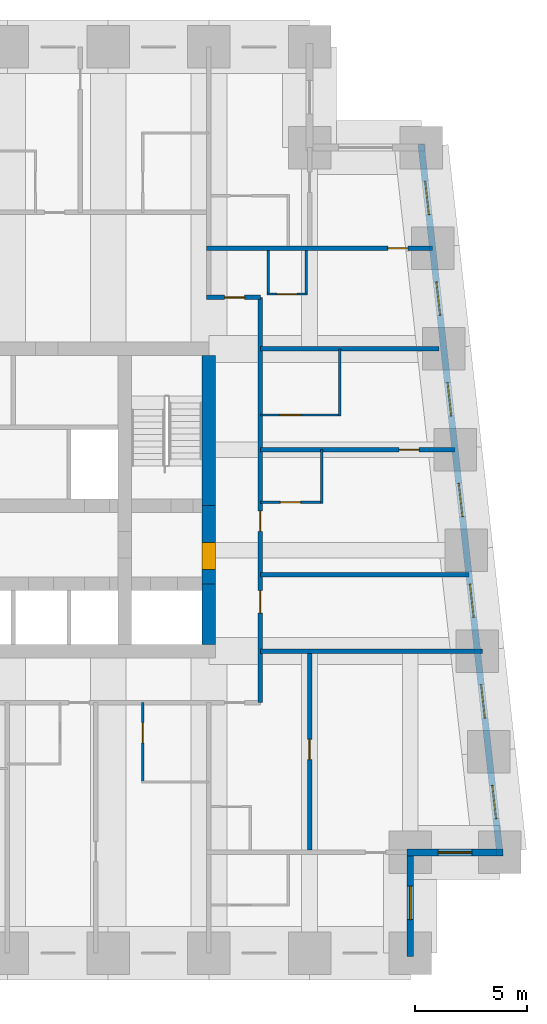
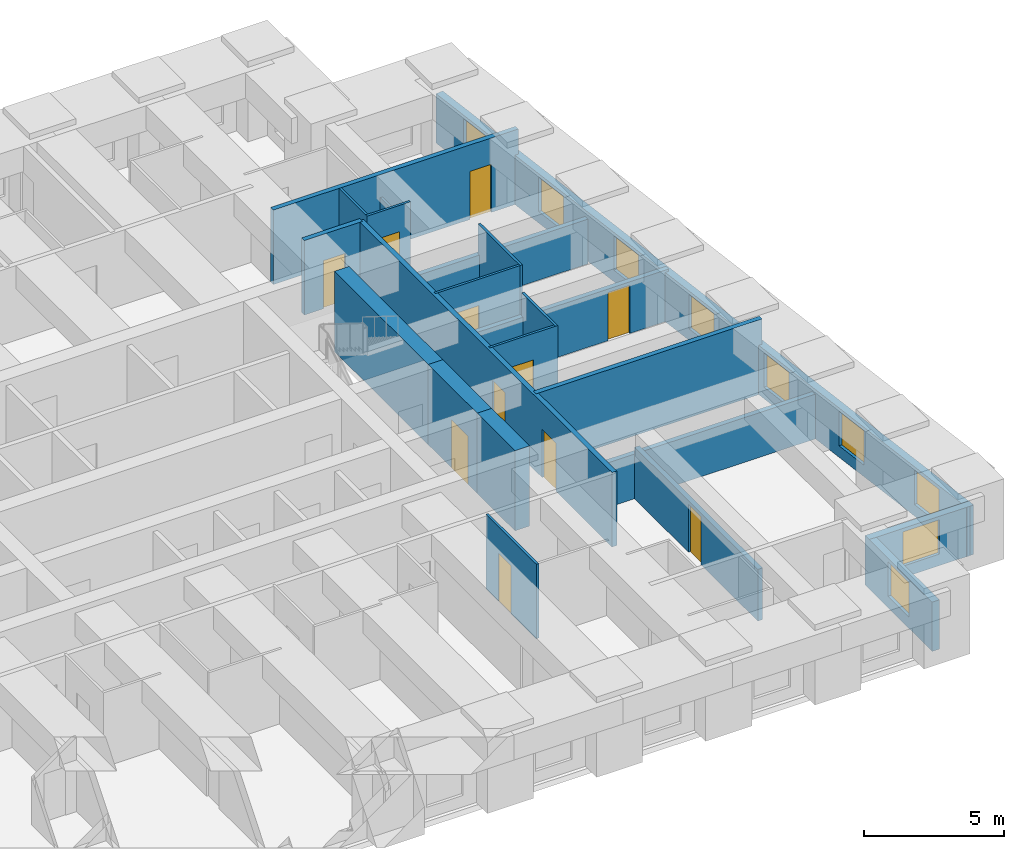
# One storey, part 5 of 8: 22 walls, 11 doors, 9 windows, 20 openings.
"""IFC4 building model written with IfcOpenShell, lengths in metres."""

import ifcopenshell
import ifcopenshell.guid

model = None  # the IFC model being written
_history = None  # IfcOwnerHistory: only IFC2X3 demands one
_inside = {}  # id of a spatial element -> (the spatial element, [elements in it])
_under = {}  # id of a project, library or spatial element -> (it, [spatial elements below it])
_declared = {}  # id of a project -> (the project, [libraries it declares])
_typed = {}  # id of a type object -> (the type object, [elements of that type])
_made_of = {}  # id of a material, layer set ... -> (it, [elements and type objects made of it])


def new_model(schema):
    """Start an empty IFC model of exactly this schema.

    Asked for "IFC4X3", IfcOpenShell would pick the latest addendum, in which some entities
    have other attributes; the version numbers below select the first issue.
    IFC2X3 requires an IfcOwnerHistory on every rooted entity: one is made here for all.
    """
    global model, _history
    if schema == "IFC4X3":
        model = ifcopenshell.file(schema_version=(4, 3, 0, 0))
    else:
        model = ifcopenshell.file(schema=schema)
    _inside.clear()
    _under.clear()
    _declared.clear()
    _typed.clear()
    _made_of.clear()
    _history = None
    if model.schema == "IFC2X3":
        org = make("IfcOrganization", Name="unknown")
        user = make(
            "IfcPersonAndOrganization",
            ThePerson=make("IfcPerson", FamilyName="unknown"),
            TheOrganization=org,
        )
        app = make(
            "IfcApplication",
            ApplicationDeveloper=org,
            Version="unknown",
            ApplicationFullName="unknown",
            ApplicationIdentifier="unknown",
        )
        _history = make(
            "IfcOwnerHistory",
            OwningUser=user,
            OwningApplication=app,
            ChangeAction="ADDED",
            CreationDate=0,
        )
    return model


def make(cls, **values):
    """One entity of the class cls with the attributes given. An attribute that is None is left unset."""
    return model.create_entity(
        cls, **{name: value for name, value in values.items() if value is not None}
    )


def rooted(cls, **values):
    """An entity with a GlobalId (a new one), such as an element, a storey or a relation."""
    return make(cls, GlobalId=ifcopenshell.guid.new(), OwnerHistory=_history, **values)


def si_unit(unit_type, name, prefix=None):
    """IfcSIUnit, for example si_unit("LENGTHUNIT", "METRE", prefix="MILLI")."""
    return make("IfcSIUnit", UnitType=unit_type, Prefix=prefix, Name=name)


def assignment(units):
    """IfcUnitAssignment: the units of a project."""
    return None if units is None else make("IfcUnitAssignment", Units=units)


def point(xyz):
    """IfcCartesianPoint."""
    return None if xyz is None else make("IfcCartesianPoint", Coordinates=xyz)


def direction(xyz):
    """IfcDirection."""
    return None if xyz is None else make("IfcDirection", DirectionRatios=xyz)


def frame(location, z_axis=None, x_axis=None):
    """IfcAxis2Placement3D, a coordinate frame: its origin and axes. An axis left out is left unset."""
    return make(
        "IfcAxis2Placement3D",
        Location=point(location),
        Axis=direction(z_axis),
        RefDirection=direction(x_axis),
    )


def frame_2d(location, x_axis=None):
    """IfcAxis2Placement2D, a coordinate frame in the plane: its origin and x axis."""
    return make(
        "IfcAxis2Placement2D", Location=point(location), RefDirection=direction(x_axis)
    )


def origin():
    """The frame at (0, 0, 0) with its axes left unset."""
    return frame((0.0, 0.0, 0.0))


def place(relative_to, where):
    """IfcLocalPlacement: puts the frame where relative to a parent placement (None: the world)."""
    return make(
        "IfcLocalPlacement", PlacementRelTo=relative_to, RelativePlacement=where
    )


def context(
    kind, dimensions, precision=None, world=None, true_north=None, identifier=None
):
    """IfcGeometricRepresentationContext, for example the 3D "Model" context."""
    return make(
        "IfcGeometricRepresentationContext",
        ContextIdentifier=identifier,
        ContextType=kind,
        CoordinateSpaceDimension=dimensions,
        Precision=precision,
        WorldCoordinateSystem=world,
        TrueNorth=true_north,
    )


def subcontext(parent, identifier, kind, view, scale=None):
    """IfcGeometricRepresentationSubContext, for example "Body" below "Model"."""
    return make(
        "IfcGeometricRepresentationSubContext",
        ContextIdentifier=identifier,
        ContextType=kind,
        ParentContext=parent,
        TargetScale=scale,
        TargetView=view,
    )


def project(units=None, contexts=None):
    """IfcProject with its units and contexts."""
    return rooted(
        "IfcProject",
        Name="project",
        RepresentationContexts=contexts,
        UnitsInContext=assignment(units),
    )


def spatial(cls, under=None, at=None, **own):
    """A site, building, storey or space (cls), placed at a placement, below another one or the project."""
    s = rooted(cls, ObjectPlacement=at, **own)
    if under is not None:
        _under.setdefault(under.id(), (under, []))[1].append(s)
    return s


def profile(cls, at=None, kind="AREA", **sizes):
    """A parametric profile (cls). Its sizes go by their IFC names, for example OverallWidth=200.0."""
    return make(cls, ProfileType=kind, Position=at, **sizes)


def rectangle(**sizes):
    """IfcRectangleProfileDef."""
    return profile("IfcRectangleProfileDef", **sizes)


def extrude(swept, where, along, depth):
    """IfcExtrudedAreaSolid: the profile swept, set in the frame where, extruded along a direction by depth."""
    return make(
        "IfcExtrudedAreaSolid",
        SweptArea=swept,
        Position=where,
        ExtrudedDirection=direction(along),
        Depth=depth,
    )


def shape(context_of_items, identifier, shape_type, items):
    """IfcShapeRepresentation: the items that make up one representation, for example the "Body"."""
    return make(
        "IfcShapeRepresentation",
        ContextOfItems=context_of_items,
        RepresentationIdentifier=identifier,
        RepresentationType=shape_type,
        Items=items,
    )


def material(Name=None, Category=None):
    """IfcMaterial."""
    return make("IfcMaterial", Name=Name, Category=Category)


def layer(
    of_material, thickness, ventilated=None, Name=None, Category=None, Priority=None
):
    """IfcMaterialLayer: one layer of a wall or slab, of a material (None: an air gap)."""
    return make(
        "IfcMaterialLayer",
        Material=of_material,
        LayerThickness=thickness,
        IsVentilated=ventilated,
        Name=Name,
        Category=Category,
        Priority=Priority,
    )


def layer_set(layers, Name=None):
    """IfcMaterialLayerSet."""
    return make("IfcMaterialLayerSet", MaterialLayers=layers, LayerSetName=Name)


def made_of(thing, what):
    """Note that an element or type object is made of a material, layer set ...; save() writes the relation."""
    if what is not None:
        _made_of.setdefault(what.id(), (what, []))[1].append(thing)
    return thing


def type_object(cls, material=None, **own):
    """A type object (cls), such as IfcWallType, which elements share."""
    return made_of(rooted(cls, **own), material)


def element(
    cls,
    number,
    at=None,
    inside=None,
    cuts=None,
    type_object=None,
    material=None,
    context=None,
    identifier="Body",
    shape_type=None,
    held_by="IfcProductDefinitionShape",
    body=None,
    shapes=None,
    **own,
):
    """One element of the class cls, such as IfcWall. Its Tag is "e" and its number.

    at: its placement. inside: the storey or other place that contains it. cuts: it is an
    opening in that element (IfcRelVoidsElement). A single representation is given by context,
    identifier, shape_type and body (its items); several are given by shapes. held_by: the class
    of the entity that holds the representations. save() writes the other relations.
    """
    e = rooted(cls, Tag="e%d" % number, ObjectPlacement=at, **own)
    if body is not None:
        shapes = [shape(context, identifier, shape_type, body)]
    if shapes is not None:
        e.Representation = make(held_by, Representations=shapes)
    if inside is not None:
        _inside.setdefault(inside.id(), (inside, []))[1].append(e)
    if cuts is not None:
        rooted(
            "IfcRelVoidsElement", RelatingBuildingElement=cuts, RelatedOpeningElement=e
        )
    if type_object is not None:
        _typed.setdefault(type_object.id(), (type_object, []))[1].append(e)
    return made_of(e, material)


def fill(opening, filler):
    """IfcRelFillsElement: the door or window that sits in an opening."""
    return rooted(
        "IfcRelFillsElement",
        RelatingOpeningElement=opening,
        RelatedBuildingElement=filler,
    )


def aggregate(whole, parts):
    """IfcRelAggregates: a whole, such as a stair, and the parts it consists of."""
    return rooted("IfcRelAggregates", RelatingObject=whole, RelatedObjects=parts)


def save(model, path):
    """Write the relations noted so far, then the file.

    IfcRelAggregates (storeys below a building ...), IfcRelContainedInSpatialStructure (elements
    in a storey), IfcRelDefinesByType, IfcRelAssociatesMaterial and IfcRelDeclares: one each for
    every whole, place, type object, material and project.
    """
    for whole, parts in _under.values():
        aggregate(whole, parts)
    for where, things in _inside.values():
        rooted(
            "IfcRelContainedInSpatialStructure",
            RelatedElements=things,
            RelatingStructure=where,
        )
    for kind, things in _typed.values():
        rooted("IfcRelDefinesByType", RelatedObjects=things, RelatingType=kind)
    for what, things in _made_of.values():
        rooted("IfcRelAssociatesMaterial", RelatedObjects=things, RelatingMaterial=what)
    for by, libraries in _declared.values():
        rooted("IfcRelDeclares", RelatingContext=by, RelatedDefinitions=libraries)
    model.write(path)


model = new_model("IFC4")

# Units and contexts
model_context = context("Model", 3, precision=1e-05, world=origin(), true_north=direction((0.0, 1.0)))
body_context = subcontext(model_context, "Body", "Model", "MODEL_VIEW")
ifc_project = project(units=[si_unit("LENGTHUNIT", "METRE"), si_unit("AREAUNIT", "SQUARE_METRE"), si_unit("VOLUMEUNIT", "CUBIC_METRE"), si_unit("PLANEANGLEUNIT", "RADIAN"), si_unit("MASSUNIT", "GRAM", prefix="KILO")], contexts=[model_context])

# Site, building, storey
site_placement = place(None, origin())
site = spatial("IfcSite", under=ifc_project, at=site_placement, CompositionType="ELEMENT")
building_placement = place(site_placement, origin())
building = spatial("IfcBuilding", under=site, at=building_placement, Name="Kilele Tower Hotel", CompositionType="ELEMENT")
storey_placement = place(building_placement, frame((0.0, 0.0, 138.89990234375)))
storey = spatial("IfcBuildingStorey", under=building, at=storey_placement, Name="L36", CompositionType="ELEMENT", Elevation=138.89990234375)

# Wall, opening, door
ifc_material_1 = material(Name="Moisture-resistant board")
ifc_layer_1 = layer(ifc_material_1, 0.10009765625)
ifc_layer_set_1 = layer_set([ifc_layer_1], Name="Moisture-resistant board")
wall_type_1 = type_object("IfcWallType", Name="Bathroom partition 100", PredefinedType="PLUMBINGWALL", material=ifc_layer_set_1)
wall_1_placement = place(storey_placement, frame((33.050048828125, 11.199951171875, 0.0), z_axis=(0.0, 0.0, 1.0), x_axis=(0.0, -1.0, 0.0)))
wall_1 = element("IfcWall", 1, at=wall_1_placement, inside=storey, type_object=wall_type_1, Name="Bathroom partition 100 L36", PredefinedType="PLUMBINGWALL", context=body_context, shape_type="SweptSolid", body=[
    extrude(rectangle(XDim=3.599853515625, YDim=0.10009765625, at=frame_2d((1.7998046875, 0.0))), origin(), (0.0, 0.0, 1.0), 3.25),
])
opening_1_placement = place(wall_1_placement, frame((1.7998046875, 0.0, 0.0), z_axis=(0.0, 0.0, 1.0), x_axis=(-1.0, 0.0, 0.0)))
opening_1 = element("IfcOpeningElement", 2, at=opening_1_placement, cuts=wall_1, Name="Opening D2A", PredefinedType="OPENING", context=body_context, shape_type="SweptSolid", body=[
    extrude(rectangle(XDim=0.89990234375, YDim=2.10009765625, at=frame_2d((0.449951171875, 1.050048828125))), frame((0.0, 0.06005859375, 0.0), z_axis=(0.0, -1.0, 0.0), x_axis=(1.0, 0.0, 0.0)), (0.0, 0.0, 1.0), 0.1201171875),
])
ifc_material_2 = material(Name="Timber door leaf in hardwood frame", Category="wood")
door_type_1 = type_object("IfcDoorType", Name="Bathroom door 900", OperationType="SINGLE_SWING_LEFT", PredefinedType="DOOR", material=ifc_material_2)
door_1_placement = place(opening_1_placement, origin())
door_1 = element("IfcDoor", 3, at=door_1_placement, inside=storey, type_object=door_type_1, Name="Bathroom door 3605B", OperationType="SINGLE_SWING_RIGHT", OverallHeight=2.10009765625, OverallWidth=0.89990234375, PredefinedType="DOOR", context=body_context, shape_type="SweptSolid", body=[
    extrude(rectangle(XDim=0.89990234375, YDim=2.10009765625, at=frame_2d((0.449951171875, 1.050048828125))), frame((0.0, 0.02490234375, 0.0), z_axis=(0.0, -1.0, 0.0), x_axis=(1.0, 0.0, 0.0)), (0.0, 0.0, 1.0), 0.050048828125),
])
fill(opening_1, door_1)

# Wall
wall_2_placement = place(storey_placement, frame((41.050048828125, 20.10009765625, 0.0), z_axis=(0.0, 0.0, 1.0), x_axis=(0.0, 1.0, 0.0)))
element("IfcWall", 4, at=wall_2_placement, inside=storey, type_object=wall_type_1, Name="Bathroom partition 100 L36", PredefinedType="PLUMBINGWALL", context=body_context, shape_type="SweptSolid", body=[
    extrude(rectangle(XDim=2.39990234375, YDim=0.10009765625, at=frame_2d((1.199951171875, 0.0))), origin(), (0.0, 0.0, 1.0), 3.25),
])

# Wall, opening, door
wall_3_placement = place(storey_placement, frame((38.300048828125, 20.14990234375, 0.0), z_axis=(0.0, 0.0, 1.0), x_axis=(1.0, 0.0, 0.0)))
wall_3 = element("IfcWall", 5, at=wall_3_placement, inside=storey, type_object=wall_type_1, Name="Bathroom partition 100 L36", PredefinedType="PLUMBINGWALL", context=body_context, shape_type="SweptSolid", body=[
    extrude(rectangle(XDim=2.800048828125, YDim=0.10009765625, at=frame_2d((1.39990234375, 0.0))), origin(), (0.0, 0.0, 1.0), 3.25),
])
opening_2_placement = place(wall_3_placement, frame((1.7998046875, 0.0, 0.0), z_axis=(0.0, 0.0, 1.0), x_axis=(-1.0, 0.0, 0.0)))
opening_2 = element("IfcOpeningElement", 6, at=opening_2_placement, cuts=wall_3, Name="Opening D2A", PredefinedType="OPENING", context=body_context, shape_type="SweptSolid", body=[
    extrude(rectangle(XDim=0.89990234375, YDim=2.10009765625, at=frame_2d((0.449951171875, 1.050048828125))), frame((0.0, 0.06005859375, 0.0), z_axis=(0.0, -1.0, 0.0), x_axis=(1.0, 0.0, 0.0)), (0.0, 0.0, 1.0), 0.1201171875),
])
door_2_placement = place(opening_2_placement, origin())
door_2 = element("IfcDoor", 7, at=door_2_placement, inside=storey, type_object=door_type_1, Name="Bathroom door 3607B", OperationType="SINGLE_SWING_RIGHT", OverallHeight=2.10009765625, OverallWidth=0.89990234375, PredefinedType="DOOR", context=body_context, shape_type="SweptSolid", body=[
    extrude(rectangle(XDim=0.89990234375, YDim=2.10009765625, at=frame_2d((0.449951171875, 1.050048828125))), frame((0.0, 0.02490234375, 0.0), z_axis=(0.0, -1.0, 0.0), x_axis=(1.0, 0.0, 0.0)), (0.0, 0.0, 1.0), 0.050048828125),
])
fill(opening_2, door_2)

# Wall
wall_4_placement = place(storey_placement, frame((41.85009765625, 24.0, 0.0), z_axis=(0.0, 0.0, 1.0), x_axis=(0.0, 1.0, 0.0)))
element("IfcWall", 8, at=wall_4_placement, inside=storey, type_object=wall_type_1, Name="Bathroom partition 100 L36", PredefinedType="PLUMBINGWALL", context=body_context, shape_type="SweptSolid", body=[
    extrude(rectangle(XDim=3.0, YDim=0.10009765625, at=frame_2d((1.5, 0.0))), origin(), (0.0, 0.0, 1.0), 3.25),
])

# Wall, opening, door
wall_5_placement = place(storey_placement, frame((38.300048828125, 24.050048828125, 0.0), z_axis=(0.0, 0.0, 1.0), x_axis=(1.0, 0.0, 0.0)))
wall_5 = element("IfcWall", 9, at=wall_5_placement, inside=storey, type_object=wall_type_1, Name="Bathroom partition 100 L36", PredefinedType="PLUMBINGWALL", context=body_context, shape_type="SweptSolid", body=[
    extrude(rectangle(XDim=3.599853515625, YDim=0.10009765625, at=frame_2d((1.7998046875, 0.0))), origin(), (0.0, 0.0, 1.0), 3.25),
])
opening_3_placement = place(wall_5_placement, frame((1.7998046875, 0.0, 0.0), z_axis=(0.0, 0.0, 1.0), x_axis=(-1.0, 0.0, 0.0)))
opening_3 = element("IfcOpeningElement", 10, at=opening_3_placement, cuts=wall_5, Name="Opening D2A", PredefinedType="OPENING", context=body_context, shape_type="SweptSolid", body=[
    extrude(rectangle(XDim=0.89990234375, YDim=2.10009765625, at=frame_2d((0.449951171875, 1.050048828125))), frame((0.0, 0.06005859375, 0.0), z_axis=(0.0, -1.0, 0.0), x_axis=(1.0, 0.0, 0.0)), (0.0, 0.0, 1.0), 0.1201171875),
])
door_3_placement = place(opening_3_placement, origin())
door_3 = element("IfcDoor", 11, at=door_3_placement, inside=storey, type_object=door_type_1, Name="Bathroom door 3608B", OperationType="SINGLE_SWING_RIGHT", OverallHeight=2.10009765625, OverallWidth=0.89990234375, PredefinedType="DOOR", context=body_context, shape_type="SweptSolid", body=[
    extrude(rectangle(XDim=0.89990234375, YDim=2.10009765625, at=frame_2d((0.449951171875, 1.050048828125))), frame((0.0, 0.02490234375, 0.0), z_axis=(0.0, -1.0, 0.0), x_axis=(1.0, 0.0, 0.0)), (0.0, 0.0, 1.0), 0.050048828125),
])
fill(opening_3, door_3)

# Walls
wall_6_placement = place(storey_placement, frame((40.35009765625, 31.39990234375, 0.0), z_axis=(0.0, 0.0, 1.0), x_axis=(0.0, -1.0, 0.0)))
element("IfcWall", 12, at=wall_6_placement, inside=storey, type_object=wall_type_1, Name="Bathroom partition 100 L36", PredefinedType="PLUMBINGWALL", context=body_context, shape_type="SweptSolid", body=[
    extrude(rectangle(XDim=2.0, YDim=0.10009765625, at=frame_2d((1.0, 0.0))), origin(), (0.0, 0.0, 1.0), 2.25),
])
wall_7_placement = place(storey_placement, frame((38.64990234375, 31.39990234375, 0.0), z_axis=(0.0, 0.0, 1.0), x_axis=(0.0, -1.0, 0.0)))
element("IfcWall", 13, at=wall_7_placement, inside=storey, type_object=wall_type_1, Name="Bathroom partition 100 L36", PredefinedType="PLUMBINGWALL", context=body_context, shape_type="SweptSolid", body=[
    extrude(rectangle(XDim=2.0, YDim=0.10009765625, at=frame_2d((1.0, 0.0))), origin(), (0.0, 0.0, 1.0), 3.25),
])

# Wall, opening, door
wall_8_placement = place(storey_placement, frame((38.60009765625, 29.449951171875, 0.0), z_axis=(0.0, 0.0, 1.0), x_axis=(1.0, 0.0, 0.0)))
wall_8 = element("IfcWall", 14, at=wall_8_placement, inside=storey, type_object=wall_type_1, Name="Bathroom partition 100 L36", PredefinedType="PLUMBINGWALL", context=body_context, shape_type="SweptSolid", body=[
    extrude(rectangle(XDim=1.7998046875, YDim=0.10009765625, at=frame_2d((0.89990234375, 0.0))), origin(), (0.0, 0.0, 1.0), 3.25),
])
opening_4_placement = place(wall_8_placement, frame((1.349853515625, 0.0, 0.0), z_axis=(0.0, 0.0, 1.0), x_axis=(-1.0, 0.0, 0.0)))
opening_4 = element("IfcOpeningElement", 15, at=opening_4_placement, cuts=wall_8, Name="Opening D2A", PredefinedType="OPENING", context=body_context, shape_type="SweptSolid", body=[
    extrude(rectangle(XDim=0.89990234375, YDim=2.10009765625, at=frame_2d((0.449951171875, 1.050048828125))), frame((0.0, 0.06005859375, 0.0), z_axis=(0.0, -1.0, 0.0), x_axis=(1.0, 0.0, 0.0)), (0.0, 0.0, 1.0), 0.1201171875),
])
door_4_placement = place(opening_4_placement, origin())
door_4 = element("IfcDoor", 16, at=door_4_placement, inside=storey, type_object=door_type_1, Name="Bathroom door 3623P", OperationType="SINGLE_SWING_RIGHT", OverallHeight=2.10009765625, OverallWidth=0.89990234375, PredefinedType="DOOR", context=body_context, shape_type="SweptSolid", body=[
    extrude(rectangle(XDim=0.89990234375, YDim=2.10009765625, at=frame_2d((0.449951171875, 1.050048828125))), frame((0.0, 0.02490234375, 0.0), z_axis=(0.0, -1.0, 0.0), x_axis=(1.0, 0.0, 0.0)), (0.0, 0.0, 1.0), 0.050048828125),
])
fill(opening_4, door_4)

# Wall
ifc_material_3 = material(Name="Concrete C60/75", Category="concrete")
ifc_layer_2 = layer(ifc_material_3, 0.60009765625)
ifc_layer_set_2 = layer_set([ifc_layer_2], Name="Concrete C60/75")
wall_type_2 = type_object("IfcWallType", Name="Core wall 600 C60/75", PredefinedType="SHEAR", material=ifc_layer_set_2)
wall_9_placement = place(storey_placement, frame((36.0, 13.800048828125, 0.0), z_axis=(0.0, 0.0, 1.0), x_axis=(0.0, 1.0, 0.0)))
element("IfcWall", 17, at=wall_9_placement, inside=storey, type_object=wall_type_2, Name="Core wall E1 L36", PredefinedType="SHEAR", context=body_context, shape_type="SweptSolid", body=[
    extrude(rectangle(XDim=2.699951171875, YDim=0.60009765625, at=frame_2d((1.35009765625, 0.0))), origin(), (0.0, 0.0, 1.0), 3.5),
])

# Wall, opening, door
wall_10_placement = place(storey_placement, frame((36.0, 16.5, 0.0), z_axis=(0.0, 0.0, 1.0), x_axis=(0.0, 1.0, 0.0)))
wall_10 = element("IfcWall", 18, at=wall_10_placement, inside=storey, type_object=wall_type_2, Name="Core wall E2 L36", PredefinedType="SHEAR", context=body_context, shape_type="SweptSolid", body=[
    extrude(rectangle(XDim=3.5, YDim=0.60009765625, at=frame_2d((1.75, 0.0))), origin(), (0.0, 0.0, 1.0), 3.5),
])
opening_5_placement = place(wall_10_placement, frame((0.64990234375, 0.0, 0.0)))
opening_5 = element("IfcOpeningElement", 19, at=opening_5_placement, cuts=wall_10, Name="Opening D4", PredefinedType="OPENING", context=body_context, shape_type="SweptSolid", body=[
    extrude(rectangle(XDim=1.199951171875, YDim=2.10009765625, at=frame_2d((0.60009765625, 1.050048828125))), frame((0.0, 0.31005859375, 0.0), z_axis=(0.0, -1.0, 0.0), x_axis=(1.0, 0.0, 0.0)), (0.0, 0.0, 1.0), 0.6201171875),
])
ifc_material_4 = material(Name="Timber door leaf in hardwood frame", Category="wood")
door_type_2 = type_object("IfcDoorType", Name="Firefighting lobby door 1200", OperationType="SINGLE_SWING_LEFT", PredefinedType="DOOR", material=ifc_material_4)
door_5_placement = place(opening_5_placement, origin())
door_5 = element("IfcDoor", 20, at=door_5_placement, inside=storey, type_object=door_type_2, Name="Lobby door L36", OperationType="SINGLE_SWING_LEFT", OverallHeight=2.10009765625, OverallWidth=1.199951171875, PredefinedType="DOOR", context=body_context, shape_type="SweptSolid", body=[
    extrude(rectangle(XDim=1.199951171875, YDim=2.10009765625, at=frame_2d((0.60009765625, 1.050048828125))), frame((0.0, 0.2998046875, 0.0), z_axis=(0.0, -1.0, 0.0), x_axis=(1.0, 0.0, 0.0)), (0.0, 0.0, 1.0), 0.599609375),
])
fill(opening_5, door_5)

# Wall
wall_11_placement = place(storey_placement, frame((36.0, 20.0, 0.0), z_axis=(0.0, 0.0, 1.0), x_axis=(0.0, 1.0, 0.0)))
element("IfcWall", 21, at=wall_11_placement, inside=storey, type_object=wall_type_2, Name="Core wall E3 L36", PredefinedType="SHEAR", context=body_context, shape_type="SweptSolid", body=[
    extrude(rectangle(XDim=6.699951171875, YDim=0.60009765625, at=frame_2d((3.35009765625, 0.0))), origin(), (0.0, 0.0, 1.0), 3.5),
])

# Wall, opening, door
ifc_material_5 = material(Name="Blockwork, plastered both sides", Category="masonry")
ifc_layer_3 = layer(ifc_material_5, 0.199951171875)
ifc_layer_set_3 = layer_set([ifc_layer_3], Name="Blockwork, plastered both sides")
wall_type_3 = type_object("IfcWallType", Name="Corridor wall 200", PredefinedType="PARTITIONING", material=ifc_layer_set_3)
wall_12_placement = place(storey_placement, frame((35.89990234375, 29.300048828125, 0.0), z_axis=(0.0, 0.0, 1.0), x_axis=(1.0, 0.0, 0.0)))
wall_12 = element("IfcWall", 22, at=wall_12_placement, inside=storey, type_object=wall_type_3, Name="Corridor wall 200 L36", PredefinedType="PARTITIONING", context=body_context, shape_type="SweptSolid", body=[
    extrude(rectangle(XDim=2.400146484375, YDim=0.199951171875, at=frame_2d((1.2001953125, 0.0))), origin(), (0.0, 0.0, 1.0), 3.25),
])
opening_6_placement = place(wall_12_placement, frame((0.800048828125, 0.0, 0.0)))
opening_6 = element("IfcOpeningElement", 23, at=opening_6_placement, cuts=wall_12, Name="Opening D1", PredefinedType="OPENING", context=body_context, shape_type="SweptSolid", body=[
    extrude(rectangle(XDim=0.89990234375, YDim=2.10009765625, at=frame_2d((0.449951171875, 1.050048828125))), frame((0.0, 0.10986328125, 0.0), z_axis=(0.0, -1.0, 0.0), x_axis=(1.0, 0.0, 0.0)), (0.0, 0.0, 1.0), 0.219970703125),
])
ifc_material_6 = material(Name="Timber door leaf in hardwood frame", Category="wood")
door_type_3 = type_object("IfcDoorType", Name="Guest room entrance door 900", OperationType="SINGLE_SWING_LEFT", PredefinedType="DOOR", material=ifc_material_6)
door_6_placement = place(opening_6_placement, origin())
door_6 = element("IfcDoor", 24, at=door_6_placement, inside=storey, type_object=door_type_3, Name="Room entrance 3623", OperationType="SINGLE_SWING_LEFT", OverallHeight=2.10009765625, OverallWidth=0.89990234375, PredefinedType="DOOR", context=body_context, shape_type="SweptSolid", body=[
    extrude(rectangle(XDim=0.89990234375, YDim=2.10009765625, at=frame_2d((0.449951171875, 1.050048828125))), frame((0.0, 0.02490234375, 0.0), z_axis=(0.0, -1.0, 0.0), x_axis=(1.0, 0.0, 0.0)), (0.0, 0.0, 1.0), 0.050048828125),
])
fill(opening_6, door_6)

# Wall, openings, doors
wall_13_placement = place(storey_placement, frame((38.300048828125, 11.199951171875, 0.0), z_axis=(0.0, 0.0, 1.0), x_axis=(0.0, 1.0, 0.0)))
wall_13 = element("IfcWall", 25, at=wall_13_placement, inside=storey, type_object=wall_type_3, Name="Corridor wall 200 L36", PredefinedType="PARTITIONING", context=body_context, shape_type="SweptSolid", body=[
    extrude(rectangle(XDim=18.10009765625, YDim=0.199951171875, at=frame_2d((9.050048828125, 0.0))), origin(), (0.0, 0.0, 1.0), 3.25),
])
opening_7_placement = place(wall_13_placement, frame((5.0, 0.0, 0.0), z_axis=(0.0, 0.0, 1.0), x_axis=(-1.0, 0.0, 0.0)))
opening_7 = element("IfcOpeningElement", 26, at=opening_7_placement, cuts=wall_13, Name="Opening D8", PredefinedType="OPENING", context=body_context, shape_type="SweptSolid", body=[
    extrude(rectangle(XDim=1.0, YDim=2.10009765625, at=frame_2d((0.5, 1.050048828125))), frame((0.0, 0.10986328125, 0.0), z_axis=(0.0, -1.0, 0.0), x_axis=(1.0, 0.0, 0.0)), (0.0, 0.0, 1.0), 0.219970703125),
])
opening_8_placement = place(wall_13_placement, frame((8.5498046875, 0.0, 0.0), z_axis=(0.0, 0.0, 1.0), x_axis=(-1.0, 0.0, 0.0)))
opening_8 = element("IfcOpeningElement", 27, at=opening_8_placement, cuts=wall_13, Name="Opening D1", PredefinedType="OPENING", context=body_context, shape_type="SweptSolid", body=[
    extrude(rectangle(XDim=0.89990234375, YDim=2.10009765625, at=frame_2d((0.449951171875, 1.050048828125))), frame((0.0, 0.10986328125, 0.0), z_axis=(0.0, -1.0, 0.0), x_axis=(1.0, 0.0, 0.0)), (0.0, 0.0, 1.0), 0.219970703125),
])
ifc_material_7 = material(Name="Timber door leaf in hardwood frame", Category="wood")
door_type_4 = type_object("IfcDoorType", Name="Door 1000", OperationType="SINGLE_SWING_LEFT", PredefinedType="DOOR", material=ifc_material_7)
door_7_placement = place(opening_7_placement, origin())
door_7 = element("IfcDoor", 28, at=door_7_placement, inside=storey, type_object=door_type_4, Name="Room entrance 3606", OperationType="SINGLE_SWING_LEFT", OverallHeight=2.10009765625, OverallWidth=1.0, PredefinedType="DOOR", context=body_context, shape_type="SweptSolid", body=[
    extrude(rectangle(XDim=1.0, YDim=2.10009765625, at=frame_2d((0.5, 1.050048828125))), frame((0.0, 0.02490234375, 0.0), z_axis=(0.0, -1.0, 0.0), x_axis=(1.0, 0.0, 0.0)), (0.0, 0.0, 1.0), 0.050048828125),
])
fill(opening_7, door_7)
door_8_placement = place(opening_8_placement, origin())
door_8 = element("IfcDoor", 29, at=door_8_placement, inside=storey, type_object=door_type_3, Name="Room entrance 3607", OperationType="SINGLE_SWING_LEFT", OverallHeight=2.10009765625, OverallWidth=0.89990234375, PredefinedType="DOOR", context=body_context, shape_type="SweptSolid", body=[
    extrude(rectangle(XDim=0.89990234375, YDim=2.10009765625, at=frame_2d((0.449951171875, 1.050048828125))), frame((0.0, 0.02490234375, 0.0), z_axis=(0.0, -1.0, 0.0), x_axis=(1.0, 0.0, 0.0)), (0.0, 0.0, 1.0), 0.050048828125),
])
fill(opening_8, door_8)

# Wall, opening, door
ifc_material_8 = material(Name="Blockwork, plastered both sides", Category="masonry")
ifc_layer_4 = layer(ifc_material_8, 0.199951171875)
ifc_layer_set_4 = layer_set([ifc_layer_4], Name="Blockwork, plastered both sides")
wall_type_4 = type_object("IfcWallType", Name="Partition wall 200", PredefinedType="PARTITIONING", material=ifc_layer_set_4)
wall_14_placement = place(storey_placement, frame((40.5, 4.60009765625, 0.0), z_axis=(0.0, 0.0, 1.0), x_axis=(0.0, 1.0, 0.0)))
wall_14 = element("IfcWall", 30, at=wall_14_placement, inside=storey, type_object=wall_type_4, Name="Partition wall 200 L36", PredefinedType="PARTITIONING", context=body_context, shape_type="SweptSolid", body=[
    extrude(rectangle(XDim=8.7998046875, YDim=0.199951171875, at=frame_2d((4.39990234375, 0.0))), origin(), (0.0, 0.0, 1.0), 2.25),
])
opening_9_placement = place(wall_14_placement, frame((4.050048828125, 0.0, 0.0)))
opening_9 = element("IfcOpeningElement", 31, at=opening_9_placement, cuts=wall_14, Name="Opening D3", PredefinedType="OPENING", context=body_context, shape_type="SweptSolid", body=[
    extrude(rectangle(XDim=0.89990234375, YDim=2.10009765625, at=frame_2d((0.449951171875, 1.050048828125))), frame((0.0, 0.10986328125, 0.0), z_axis=(0.0, -1.0, 0.0), x_axis=(1.0, 0.0, 0.0)), (0.0, 0.0, 1.0), 0.219970703125),
])
ifc_material_9 = material(Name="Timber door leaf in hardwood frame", Category="wood")
door_type_5 = type_object("IfcDoorType", Name="Suite internal door 900", OperationType="SINGLE_SWING_LEFT", PredefinedType="DOOR", material=ifc_material_9)
door_9_placement = place(opening_9_placement, origin())
door_9 = element("IfcDoor", 32, at=door_9_placement, inside=storey, type_object=door_type_5, Name="Suite door 3621", OperationType="SINGLE_SWING_RIGHT", OverallHeight=2.10009765625, OverallWidth=0.89990234375, PredefinedType="DOOR", context=body_context, shape_type="SweptSolid", body=[
    extrude(rectangle(XDim=0.89990234375, YDim=2.10009765625, at=frame_2d((0.449951171875, 1.050048828125))), frame((0.0, 0.02490234375, 0.0), z_axis=(0.0, -1.0, 0.0), x_axis=(1.0, 0.0, 0.0)), (0.0, 0.0, 1.0), 0.050048828125),
])
fill(opening_9, door_9)

# Wall
ifc_material_10 = material(Name="Blockwork, plastered both sides", Category="masonry")
ifc_layer_5 = layer(ifc_material_10, 0.199951171875)
ifc_layer_set_5 = layer_set([ifc_layer_5], Name="Blockwork, plastered both sides")
wall_type_5 = type_object("IfcWallType", Name="Party wall 200", PredefinedType="PARTITIONING", material=ifc_layer_set_5)
wall_15_placement = place(storey_placement, frame((38.300048828125, 16.89990234375, 0.0), z_axis=(0.0, 0.0, 1.0), x_axis=(1.0, 0.0, 0.0)))
element("IfcWall", 33, at=wall_15_placement, inside=storey, type_object=wall_type_5, Name="Party wall 200 L36", PredefinedType="PARTITIONING", context=body_context, shape_type="SweptSolid", body=[
    extrude(rectangle(XDim=9.3212890625, YDim=0.199951171875, at=frame_2d((4.66064453125, 0.0))), origin(), (0.0, 0.0, 1.0), 3.25),
])

# Wall, opening, door
wall_16_placement = place(storey_placement, frame((38.300048828125, 22.5, 0.0), z_axis=(0.0, 0.0, 1.0), x_axis=(1.0, 0.0, 0.0)))
wall_16 = element("IfcWall", 34, at=wall_16_placement, inside=storey, type_object=wall_type_5, Name="Party wall 200 L36", PredefinedType="PARTITIONING", context=body_context, shape_type="SweptSolid", body=[
    extrude(rectangle(XDim=8.698974609375, YDim=0.199951171875, at=frame_2d((4.349609375, 0.0))), origin(), (0.0, 0.0, 1.0), 2.25),
])
opening_10_placement = place(wall_16_placement, frame((6.199951171875, 0.0, 0.0)))
opening_10 = element("IfcOpeningElement", 35, at=opening_10_placement, cuts=wall_16, Name="Opening D3", PredefinedType="OPENING", context=body_context, shape_type="SweptSolid", body=[
    extrude(rectangle(XDim=0.89990234375, YDim=2.10009765625, at=frame_2d((0.449951171875, 1.050048828125))), frame((0.0, 0.10986328125, 0.0), z_axis=(0.0, -1.0, 0.0), x_axis=(1.0, 0.0, 0.0)), (0.0, 0.0, 1.0), 0.219970703125),
])
door_10_placement = place(opening_10_placement, origin())
door_10 = element("IfcDoor", 36, at=door_10_placement, inside=storey, type_object=door_type_5, Name="Suite door 3608", OperationType="SINGLE_SWING_RIGHT", OverallHeight=2.10009765625, OverallWidth=0.89990234375, PredefinedType="DOOR", context=body_context, shape_type="SweptSolid", body=[
    extrude(rectangle(XDim=0.89990234375, YDim=2.10009765625, at=frame_2d((0.449951171875, 1.050048828125))), frame((0.0, 0.02490234375, 0.0), z_axis=(0.0, -1.0, 0.0), x_axis=(1.0, 0.0, 0.0)), (0.0, 0.0, 1.0), 0.050048828125),
])
fill(opening_10, door_10)

# Walls
wall_17_placement = place(storey_placement, frame((38.300048828125, 13.5, 0.0), z_axis=(0.0, 0.0, 1.0), x_axis=(1.0, 0.0, 0.0)))
element("IfcWall", 37, at=wall_17_placement, inside=storey, type_object=wall_type_5, Name="Party wall 200 L36", PredefinedType="PARTITIONING", context=body_context, shape_type="SweptSolid", body=[
    extrude(rectangle(XDim=9.921142578125, YDim=0.199951171875, at=frame_2d((4.96044921875, 0.0))), origin(), (0.0, 0.0, 1.0), 1.9501953125),
])
wall_18_placement = place(storey_placement, frame((38.300048828125, 27.0, 0.0), z_axis=(0.0, 0.0, 1.0), x_axis=(1.0, 0.0, 0.0)))
element("IfcWall", 38, at=wall_18_placement, inside=storey, type_object=wall_type_5, Name="Party wall 200 L36", PredefinedType="PARTITIONING", context=body_context, shape_type="SweptSolid", body=[
    extrude(rectangle(XDim=7.976806640625, YDim=0.199951171875, at=frame_2d((3.98828125, 0.0))), origin(), (0.0, 0.0, 1.0), 1.9501953125),
])

# Wall, opening, door
wall_19_placement = place(storey_placement, frame((35.89990234375, 31.5, 0.0), z_axis=(0.0, 0.0, 1.0), x_axis=(1.0, 0.0, 0.0)))
wall_19 = element("IfcWall", 39, at=wall_19_placement, inside=storey, type_object=wall_type_5, Name="Party wall 200 L36", PredefinedType="PARTITIONING", context=body_context, shape_type="SweptSolid", body=[
    extrude(rectangle(XDim=10.09912109375, YDim=0.199951171875, at=frame_2d((5.049560546875, 0.0))), origin(), (0.0, 0.0, 1.0), 3.25),
])
opening_11_placement = place(wall_19_placement, frame((8.09912109375, 0.0, 0.0)))
opening_11 = element("IfcOpeningElement", 40, at=opening_11_placement, cuts=wall_19, Name="Opening D3", PredefinedType="OPENING", context=body_context, shape_type="SweptSolid", body=[
    extrude(rectangle(XDim=0.89990234375, YDim=2.10009765625, at=frame_2d((0.449951171875, 1.050048828125))), frame((0.0, 0.10986328125, 0.0), z_axis=(0.0, -1.0, 0.0), x_axis=(1.0, 0.0, 0.0)), (0.0, 0.0, 1.0), 0.219970703125),
])
door_11_placement = place(opening_11_placement, origin())
door_11 = element("IfcDoor", 41, at=door_11_placement, inside=storey, type_object=door_type_5, Name="Suite door 3624", OperationType="SINGLE_SWING_RIGHT", OverallHeight=2.10009765625, OverallWidth=0.89990234375, PredefinedType="DOOR", context=body_context, shape_type="SweptSolid", body=[
    extrude(rectangle(XDim=0.89990234375, YDim=2.10009765625, at=frame_2d((0.449951171875, 1.050048828125))), frame((0.0, 0.02490234375, 0.0), z_axis=(0.0, -1.0, 0.0), x_axis=(1.0, 0.0, 0.0)), (0.0, 0.0, 1.0), 0.050048828125),
])
fill(opening_11, door_11)

# Wall, opening, window
ifc_material_11 = material(Name="Concrete C40/50 precast", Category="concrete")
ifc_layer_6 = layer(ifc_material_11, 0.260009765625, Name="Precast backing", Category="LoadBearing")
ifc_material_12 = material(Name="Reconstituted stone finish", Category="masonry")
ifc_layer_7 = layer(ifc_material_12, 0.0400390625, Name="Face mix", Category="Finish")
ifc_layer_set_6 = layer_set([ifc_layer_6, ifc_layer_7], Name="Precast concrete C40/50, reconstituted stone finish")
wall_type_6 = type_object("IfcWallType", Name="Precast stone facade wall 300", PredefinedType="STANDARD", material=ifc_layer_set_6)
wall_20_placement = place(storey_placement, frame((45.0, -0.14990234375, 0.0), z_axis=(0.0, 0.0, 1.0), x_axis=(0.0, 1.0, 0.0)))
wall_20 = element("IfcWall", 42, at=wall_20_placement, inside=storey, type_object=wall_type_6, Name="Facade wall L36 edge 4", PredefinedType="STANDARD", context=body_context, shape_type="SweptSolid", body=[
    extrude(rectangle(XDim=4.7998046875, YDim=0.300048828125, at=frame_2d((2.39990234375, 0.0))), origin(), (0.0, 0.0, 1.0), 2.150146484375),
])
opening_12_placement = place(wall_20_placement, frame((1.64990234375, 0.0, 0.5)))
opening_12 = element("IfcOpeningElement", 43, at=opening_12_placement, cuts=wall_20, Name="Opening W2", PredefinedType="OPENING", context=body_context, shape_type="SweptSolid", body=[
    extrude(rectangle(XDim=1.5, YDim=1.5, at=frame_2d((0.75, 0.75))), frame((0.0, 0.159912109375, 0.0), z_axis=(0.0, -1.0, 0.0), x_axis=(1.0, 0.0, 0.0)), (0.0, 0.0, 1.0), 0.320068359375),
])
ifc_material_13 = material(Name="Aluminium frame, clear double glazing", Category="aluminium")
window_type = type_object("IfcWindowType", Name="Window W2 1500 x 1500", PartitioningType="SINGLE_PANEL", PredefinedType="WINDOW", material=ifc_material_13)
window_1_placement = place(opening_12_placement, origin())
window_1 = element("IfcWindow", 44, at=window_1_placement, inside=storey, type_object=window_type, Name="Window L36", OverallHeight=1.5, OverallWidth=1.5, PartitioningType="SINGLE_PANEL", PredefinedType="WINDOW", context=body_context, shape_type="SweptSolid", body=[
    extrude(rectangle(XDim=1.5, YDim=1.5, at=frame_2d((0.75, 0.75))), frame((0.0, 0.030029296875, 0.0), z_axis=(0.0, -1.0, 0.0), x_axis=(1.0, 0.0, 0.0)), (0.0, 0.0, 1.0), 0.06005859375),
])
fill(opening_12, window_1)

wall_21_placement = place(storey_placement, frame((44.85009765625, 4.5, 0.0), z_axis=(0.0, 0.0, 1.0), x_axis=(1.0, 0.0, 0.0)))
wall_21 = element("IfcWall", 45, at=wall_21_placement, inside=storey, type_object=wall_type_6, Name="Facade wall L36 edge 5", PredefinedType="STANDARD", context=body_context, shape_type="SweptSolid", body=[
    extrude(rectangle(XDim=4.2998046875, YDim=0.300048828125, at=frame_2d((2.14990234375, 0.0))), origin(), (0.0, 0.0, 1.0), 2.150146484375),
])
opening_13_placement = place(wall_21_placement, frame((1.39990234375, 0.0, 0.5)))
opening_13 = element("IfcOpeningElement", 46, at=opening_13_placement, cuts=wall_21, Name="Opening W2", PredefinedType="OPENING", context=body_context, shape_type="SweptSolid", body=[
    extrude(rectangle(XDim=1.5, YDim=1.5, at=frame_2d((0.75, 0.75))), frame((0.0, 0.159912109375, 0.0), z_axis=(0.0, -1.0, 0.0), x_axis=(1.0, 0.0, 0.0)), (0.0, 0.0, 1.0), 0.320068359375),
])
window_2_placement = place(opening_13_placement, origin())
window_2 = element("IfcWindow", 47, at=window_2_placement, inside=storey, type_object=window_type, Name="Window L36", OverallHeight=1.5, OverallWidth=1.5, PartitioningType="SINGLE_PANEL", PredefinedType="WINDOW", context=body_context, shape_type="SweptSolid", body=[
    extrude(rectangle(XDim=1.5, YDim=1.5, at=frame_2d((0.75, 0.75))), frame((0.0, 0.030029296875, 0.0), z_axis=(0.0, -1.0, 0.0), x_axis=(1.0, 0.0, 0.0)), (0.0, 0.0, 1.0), 0.06005859375),
])
fill(opening_13, window_2)

# Wall, openings, windows
wall_22_placement = place(storey_placement, frame((49.0166015625, 4.350830078125, 0.0), z_axis=(0.0, 0.0, 1.0), x_axis=(-0.110433201132, 0.993883548555, 0.0)))
wall_22 = element("IfcWall", 48, at=wall_22_placement, inside=storey, type_object=wall_type_6, Name="Facade wall L36 edge 6", PredefinedType="STANDARD", context=body_context, shape_type="SweptSolid", body=[
    extrude(rectangle(XDim=31.994140625, YDim=0.300048828125, at=frame_2d((15.9970703125, 0.0))), origin(), (0.0, 0.0, 1.0), 2.150146484375),
])
opening_14_placement = place(wall_22_placement, frame((1.6640625, 0.0, 0.5)))
opening_14 = element("IfcOpeningElement", 49, at=opening_14_placement, cuts=wall_22, Name="Opening W2", PredefinedType="OPENING", context=body_context, shape_type="SweptSolid", body=[
    extrude(rectangle(XDim=1.5, YDim=1.5, at=frame_2d((0.75, 0.75))), frame((0.0, 0.159912109375, 0.0), z_axis=(0.0, -1.0, 0.0), x_axis=(1.0, 0.0, 0.0)), (0.0, 0.0, 1.0), 0.320068359375),
])
opening_15_placement = place(wall_22_placement, frame((6.19189453125, 0.0, 0.5)))
opening_15 = element("IfcOpeningElement", 50, at=opening_15_placement, cuts=wall_22, Name="Opening W2", PredefinedType="OPENING", context=body_context, shape_type="SweptSolid", body=[
    extrude(rectangle(XDim=1.5, YDim=1.5, at=frame_2d((0.75, 0.75))), frame((0.0, 0.159912109375, 0.0), z_axis=(0.0, -1.0, 0.0), x_axis=(1.0, 0.0, 0.0)), (0.0, 0.0, 1.0), 0.320068359375),
])
opening_16_placement = place(wall_22_placement, frame((10.718994140625, 0.0, 0.5)))
opening_16 = element("IfcOpeningElement", 51, at=opening_16_placement, cuts=wall_22, Name="Opening W2", PredefinedType="OPENING", context=body_context, shape_type="SweptSolid", body=[
    extrude(rectangle(XDim=1.5, YDim=1.5, at=frame_2d((0.75, 0.75))), frame((0.0, 0.159912109375, 0.0), z_axis=(0.0, -1.0, 0.0), x_axis=(1.0, 0.0, 0.0)), (0.0, 0.0, 1.0), 0.320068359375),
])
opening_17_placement = place(wall_22_placement, frame((15.2470703125, 0.0, 0.5)))
opening_17 = element("IfcOpeningElement", 52, at=opening_17_placement, cuts=wall_22, Name="Opening W2", PredefinedType="OPENING", context=body_context, shape_type="SweptSolid", body=[
    extrude(rectangle(XDim=1.5, YDim=1.5, at=frame_2d((0.75, 0.75))), frame((0.0, 0.159912109375, 0.0), z_axis=(0.0, -1.0, 0.0), x_axis=(1.0, 0.0, 0.0)), (0.0, 0.0, 1.0), 0.320068359375),
])
opening_18_placement = place(wall_22_placement, frame((19.77490234375, 0.0, 0.5)))
opening_18 = element("IfcOpeningElement", 53, at=opening_18_placement, cuts=wall_22, Name="Opening W2", PredefinedType="OPENING", context=body_context, shape_type="SweptSolid", body=[
    extrude(rectangle(XDim=1.5, YDim=1.5, at=frame_2d((0.75, 0.75))), frame((0.0, 0.159912109375, 0.0), z_axis=(0.0, -1.0, 0.0), x_axis=(1.0, 0.0, 0.0)), (0.0, 0.0, 1.0), 0.320068359375),
])
opening_19_placement = place(wall_22_placement, frame((24.302001953125, 0.0, 0.5)))
opening_19 = element("IfcOpeningElement", 54, at=opening_19_placement, cuts=wall_22, Name="Opening W2", PredefinedType="OPENING", context=body_context, shape_type="SweptSolid", body=[
    extrude(rectangle(XDim=1.5, YDim=1.5, at=frame_2d((0.75, 0.75))), frame((0.0, 0.159912109375, 0.0), z_axis=(0.0, -1.0, 0.0), x_axis=(1.0, 0.0, 0.0)), (0.0, 0.0, 1.0), 0.320068359375),
])
opening_20_placement = place(wall_22_placement, frame((28.830078125, 0.0, 0.5)))
opening_20 = element("IfcOpeningElement", 55, at=opening_20_placement, cuts=wall_22, Name="Opening W2", PredefinedType="OPENING", context=body_context, shape_type="SweptSolid", body=[
    extrude(rectangle(XDim=1.5, YDim=1.5, at=frame_2d((0.75, 0.75))), frame((0.0, 0.159912109375, 0.0), z_axis=(0.0, -1.0, 0.0), x_axis=(1.0, 0.0, 0.0)), (0.0, 0.0, 1.0), 0.320068359375),
])
window_3_placement = place(opening_14_placement, origin())
window_3 = element("IfcWindow", 56, at=window_3_placement, inside=storey, type_object=window_type, Name="Window L36", OverallHeight=1.5, OverallWidth=1.5, PartitioningType="SINGLE_PANEL", PredefinedType="WINDOW", context=body_context, shape_type="SweptSolid", body=[
    extrude(rectangle(XDim=1.5, YDim=1.5, at=frame_2d((0.75, 0.75))), frame((0.0, 0.030029296875, 0.0), z_axis=(0.0, -1.0, 0.0), x_axis=(1.0, 0.0, 0.0)), (0.0, 0.0, 1.0), 0.06005859375),
])
fill(opening_14, window_3)
window_4_placement = place(opening_15_placement, origin())
window_4 = element("IfcWindow", 57, at=window_4_placement, inside=storey, type_object=window_type, Name="Window L36", OverallHeight=1.5, OverallWidth=1.5, PartitioningType="SINGLE_PANEL", PredefinedType="WINDOW", context=body_context, shape_type="SweptSolid", body=[
    extrude(rectangle(XDim=1.5, YDim=1.5, at=frame_2d((0.75, 0.75))), frame((0.0, 0.030029296875, 0.0), z_axis=(0.0, -1.0, 0.0), x_axis=(1.0, 0.0, 0.0)), (0.0, 0.0, 1.0), 0.06005859375),
])
fill(opening_15, window_4)
window_5_placement = place(opening_16_placement, origin())
window_5 = element("IfcWindow", 58, at=window_5_placement, inside=storey, type_object=window_type, Name="Window L36", OverallHeight=1.5, OverallWidth=1.5, PartitioningType="SINGLE_PANEL", PredefinedType="WINDOW", context=body_context, shape_type="SweptSolid", body=[
    extrude(rectangle(XDim=1.5, YDim=1.5, at=frame_2d((0.75, 0.75))), frame((0.0, 0.030029296875, 0.0), z_axis=(0.0, -1.0, 0.0), x_axis=(1.0, 0.0, 0.0)), (0.0, 0.0, 1.0), 0.06005859375),
])
fill(opening_16, window_5)
window_6_placement = place(opening_17_placement, origin())
window_6 = element("IfcWindow", 59, at=window_6_placement, inside=storey, type_object=window_type, Name="Window L36", OverallHeight=1.5, OverallWidth=1.5, PartitioningType="SINGLE_PANEL", PredefinedType="WINDOW", context=body_context, shape_type="SweptSolid", body=[
    extrude(rectangle(XDim=1.5, YDim=1.5, at=frame_2d((0.75, 0.75))), frame((0.0, 0.030029296875, 0.0), z_axis=(0.0, -1.0, 0.0), x_axis=(1.0, 0.0, 0.0)), (0.0, 0.0, 1.0), 0.06005859375),
])
fill(opening_17, window_6)
window_7_placement = place(opening_18_placement, origin())
window_7 = element("IfcWindow", 60, at=window_7_placement, inside=storey, type_object=window_type, Name="Window L36", OverallHeight=1.5, OverallWidth=1.5, PartitioningType="SINGLE_PANEL", PredefinedType="WINDOW", context=body_context, shape_type="SweptSolid", body=[
    extrude(rectangle(XDim=1.5, YDim=1.5, at=frame_2d((0.75, 0.75))), frame((0.0, 0.030029296875, 0.0), z_axis=(0.0, -1.0, 0.0), x_axis=(1.0, 0.0, 0.0)), (0.0, 0.0, 1.0), 0.06005859375),
])
fill(opening_18, window_7)
window_8_placement = place(opening_19_placement, origin())
window_8 = element("IfcWindow", 61, at=window_8_placement, inside=storey, type_object=window_type, Name="Window L36", OverallHeight=1.5, OverallWidth=1.5, PartitioningType="SINGLE_PANEL", PredefinedType="WINDOW", context=body_context, shape_type="SweptSolid", body=[
    extrude(rectangle(XDim=1.5, YDim=1.5, at=frame_2d((0.75, 0.75))), frame((0.0, 0.030029296875, 0.0), z_axis=(0.0, -1.0, 0.0), x_axis=(1.0, 0.0, 0.0)), (0.0, 0.0, 1.0), 0.06005859375),
])
fill(opening_19, window_8)
window_9_placement = place(opening_20_placement, origin())
window_9 = element("IfcWindow", 62, at=window_9_placement, inside=storey, type_object=window_type, Name="Window L36", OverallHeight=1.5, OverallWidth=1.5, PartitioningType="SINGLE_PANEL", PredefinedType="WINDOW", context=body_context, shape_type="SweptSolid", body=[
    extrude(rectangle(XDim=1.5, YDim=1.5, at=frame_2d((0.75, 0.75))), frame((0.0, 0.030029296875, 0.0), z_axis=(0.0, -1.0, 0.0), x_axis=(1.0, 0.0, 0.0)), (0.0, 0.0, 1.0), 0.06005859375),
])
fill(opening_20, window_9)

save(model, "model.ifc")
